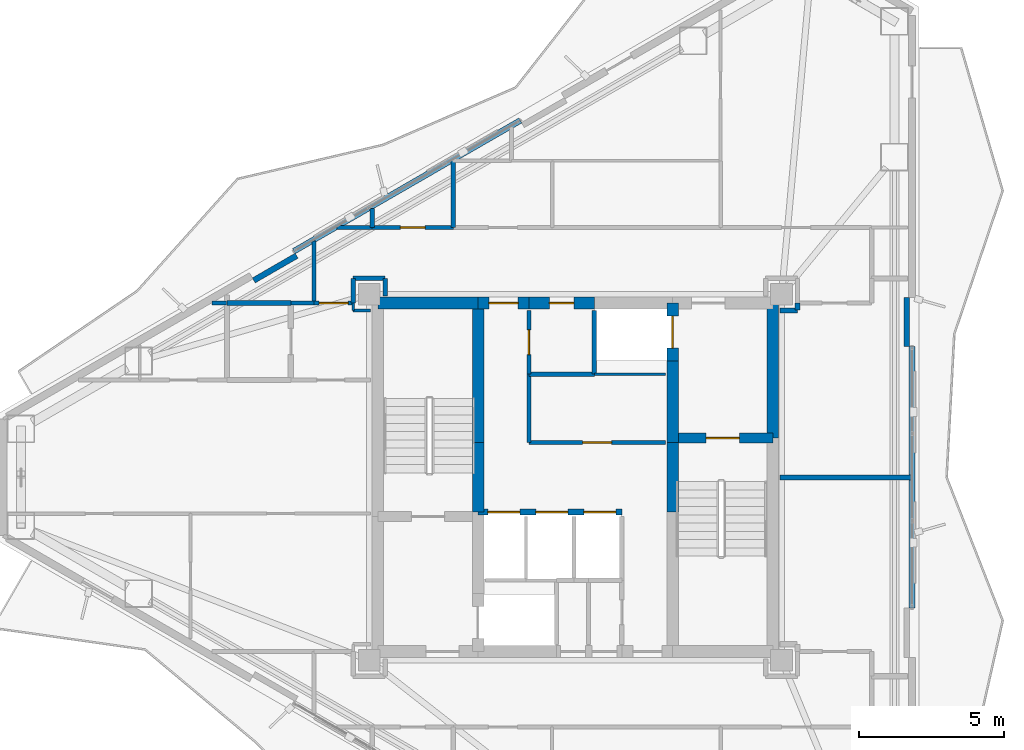
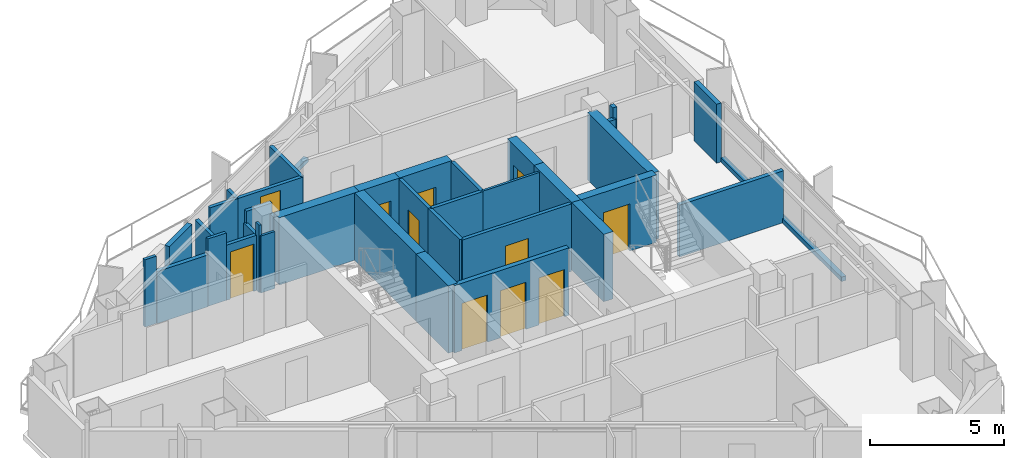
# One storey, part 18 of 22: 38 walls, 11 doors, 11 openings.
"""IFC4 building model written with IfcOpenShell, lengths in metres."""

from ifc_helpers import new_model, si_unit, direction, frame, frame_2d, origin, place, context, subcontext, project, spatial, rectangle, extrude, material, layer, layer_set, type_object, element, fill, save


model = new_model("IFC4")

# Units and contexts
model_context = context("Model", 3, precision=1e-05, world=origin(), true_north=direction((0.0, 1.0)))
body_context = subcontext(model_context, "Body", "Model", "MODEL_VIEW")
ifc_project = project(units=[si_unit("LENGTHUNIT", "METRE"), si_unit("AREAUNIT", "SQUARE_METRE"), si_unit("VOLUMEUNIT", "CUBIC_METRE"), si_unit("PLANEANGLEUNIT", "RADIAN"), si_unit("MASSUNIT", "GRAM", prefix="KILO")], contexts=[model_context])

# Site, building, storey
site_placement = place(None, origin())
site = spatial("IfcSite", under=ifc_project, at=site_placement, CompositionType="ELEMENT")
building_placement = place(site_placement, origin())
building = spatial("IfcBuilding", under=site, at=building_placement, Name="Mersakhor Tower and Convention Hall", CompositionType="ELEMENT")
storey_placement = place(building_placement, frame((0.0, 0.0, 192.0)))
storey = spatial("IfcBuildingStorey", under=building, at=storey_placement, Name="L53", CompositionType="ELEMENT", Elevation=192.0)

# Walls
ifc_material_1 = material(Name="Precast concrete C40/50", Category="concrete")
ifc_layer_1 = layer(ifc_material_1, 0.199951171875)
ifc_layer_set_1 = layer_set([ifc_layer_1], Name="Precast concrete C40/50")
wall_type_1 = type_object("IfcWallType", Name="WL-PAR-200", PredefinedType="PARAPET", material=ifc_layer_set_1)
wall_1_placement = place(storey_placement, frame((19.30908203125, 34.5361328125, 0.0), z_axis=(0.0, 0.0, 1.0), x_axis=(0.866020680503, 0.500008180874, 0.0)))
element("IfcWall", 1, at=wall_1_placement, inside=storey, type_object=wall_type_1, Name="L53 Curtain Wall Upstand Sill F1-B2", PredefinedType="PARAPET", context=body_context, shape_type="SweptSolid", body=[
    extrude(rectangle(XDim=8.998779296875, YDim=0.199951171875, at=frame_2d((4.49951171875, 0.0))), origin(), (0.0, 0.0, 1.0), 0.199951171875),
])
wall_2_placement = place(storey_placement, frame((17.927001953125, 33.5302734375, 0.0), z_axis=(0.0, 0.0, 1.0), x_axis=(0.86605165483, 0.499954529098, 0.0)))
element("IfcWall", 2, at=wall_2_placement, inside=storey, type_object=wall_type_1, Name="L53 Column Pier Cladding Wall F1-C1", PredefinedType="PARAPET", context=body_context, shape_type="SweptSolid", body=[
    extrude(rectangle(XDim=1.699951171875, YDim=0.199951171875, at=frame_2d((0.85009765625, 0.0))), origin(), (0.0, 0.0, 1.0), 2.68994140625),
])
wall_3_placement = place(storey_placement, frame((40.58837890625, 31.24951171875, 0.0), z_axis=(0.0, 0.0, 1.0), x_axis=(0.0, -1.0, 0.0)))
element("IfcWall", 3, at=wall_3_placement, inside=storey, type_object=wall_type_1, Name="L53 Curtain Wall Upstand Sill F2-B2", PredefinedType="PARAPET", context=body_context, shape_type="SweptSolid", body=[
    extrude(rectangle(XDim=8.9990234375, YDim=0.199951171875, at=frame_2d((4.49951171875, 0.0))), origin(), (0.0, 0.0, 1.0), 0.199951171875),
])
wall_4_placement = place(storey_placement, frame((40.408447265625, 32.949462890625, 0.0), z_axis=(0.0, 0.0, 1.0), x_axis=(0.0, -1.0, 0.0)))
element("IfcWall", 4, at=wall_4_placement, inside=storey, type_object=wall_type_1, Name="L53 Column Pier Cladding Wall F2-C1", PredefinedType="PARAPET", context=body_context, shape_type="SweptSolid", body=[
    extrude(rectangle(XDim=1.699951171875, YDim=0.199951171875, at=frame_2d((0.85009765625, 0.0))), origin(), (0.0, 0.0, 1.0), 2.68994140625),
])
ifc_material_2 = material(Name="Moisture-resistant acoustic drywall studwork", Category="other")
ifc_layer_2 = layer(ifc_material_2, 0.175048828125)
ifc_layer_set_2 = layer_set([ifc_layer_2], Name="Moisture-resistant acoustic drywall studwork")
wall_type_2 = type_object("IfcWallType", Name="WL-PLM-175", PredefinedType="PLUMBINGWALL", material=ifc_layer_set_2)
wall_5_placement = place(storey_placement, frame((36.050048828125, 32.5, 0.0), z_axis=(0.0, 0.0, 1.0), x_axis=(1.0, 0.0, 0.0)))
element("IfcWall", 5, at=wall_5_placement, inside=storey, type_object=wall_type_2, Name="L53 Interior Partition Wall P-053", PredefinedType="PLUMBINGWALL", context=body_context, shape_type="SweptSolid", body=[
    extrude(rectangle(XDim=0.599853515625, YDim=0.175048828125, at=frame_2d((0.2998046875, 0.0))), origin(), (0.0, 0.0, 1.0), 2.594970703125),
])
wall_6_placement = place(storey_placement, frame((36.64990234375, 32.514892578125, 0.0), z_axis=(0.0, 0.0, 1.0), x_axis=(0.0, 1.0, 0.0)))
element("IfcWall", 6, at=wall_6_placement, inside=storey, type_object=wall_type_2, Name="L53 Interior Partition Wall P-054", PredefinedType="PLUMBINGWALL", context=body_context, shape_type="SweptSolid", body=[
    extrude(rectangle(XDim=0.235107421875, YDim=0.175048828125, at=frame_2d((0.11767578125, 0.0))), origin(), (0.0, 0.0, 1.0), 3.070068359375),
])
wall_7_placement = place(storey_placement, frame((40.55029296875, 26.75, 0.0), z_axis=(0.0, 0.0, 1.0), x_axis=(-1.0, 0.0, 0.0)))
element("IfcWall", 7, at=wall_7_placement, inside=storey, type_object=wall_type_2, Name="L53 Interior Partition Wall P-056", PredefinedType="PLUMBINGWALL", context=body_context, shape_type="SweptSolid", body=[
    extrude(rectangle(XDim=4.500244140625, YDim=0.175048828125, at=frame_2d((2.25, 0.0))), origin(), (0.0, 0.0, 1.0), 2.364990234375),
])
wall_8_placement = place(storey_placement, frame((17.0, 32.75, 0.0), z_axis=(0.0, 0.0, 1.0), x_axis=(1.0, 0.0, 0.0)))
element("IfcWall", 8, at=wall_8_placement, inside=storey, type_object=wall_type_2, Name="L53 Interior Partition Wall P-060", PredefinedType="PLUMBINGWALL", context=body_context, shape_type="SweptSolid", body=[
    extrude(rectangle(XDim=2.199951171875, YDim=0.175048828125, at=frame_2d((1.10009765625, 0.0))), origin(), (0.0, 0.0, 1.0), 2.364990234375),
])
ifc_material_3 = material(Name="Lightweight gypsum partition", Category="other")
ifc_layer_3 = layer(ifc_material_3, 0.10009765625)
ifc_layer_set_3 = layer_set([ifc_layer_3], Name="Lightweight gypsum partition")
wall_type_3 = type_object("IfcWallType", Name="WL-PRT-100", PredefinedType="PARTITIONING", material=ifc_layer_set_3)
wall_9_placement = place(storey_placement, frame((32.10009765625, 30.300048828125, 0.0), z_axis=(0.0, 0.0, 1.0), x_axis=(-1.0, 0.0, 0.0)))
element("IfcWall", 9, at=wall_9_placement, inside=storey, type_object=wall_type_3, Name="L53 Interior Partition Wall P-004", PredefinedType="PARTITIONING", context=body_context, shape_type="SweptSolid", body=[
    extrude(rectangle(XDim=2.4501953125, YDim=0.10009765625, at=frame_2d((1.22509765625, 0.0))), origin(), (0.0, 0.0, 1.0), 3.070068359375),
])
wall_10_placement = place(storey_placement, frame((21.35009765625, 32.5, 0.0), z_axis=(0.0, 0.0, 1.0), x_axis=(1.0, 0.0, 0.0)))
element("IfcWall", 10, at=wall_10_placement, inside=storey, type_object=wall_type_3, Name="L53 Interior Partition Wall P-048", PredefinedType="PARTITIONING", context=body_context, shape_type="SweptSolid", body=[
    extrude(rectangle(XDim=0.599853515625, YDim=0.10009765625, at=frame_2d((0.2998046875, 0.0))), origin(), (0.0, 0.0, 1.0), 2.594970703125),
])
wall_11_placement = place(storey_placement, frame((21.35009765625, 32.75, 0.0), z_axis=(0.0, 0.0, 1.0), x_axis=(0.0, -1.0, 0.0)))
element("IfcWall", 11, at=wall_11_placement, inside=storey, type_object=wall_type_3, Name="L53 Interior Partition Wall P-052", PredefinedType="PARTITIONING", context=body_context, shape_type="SweptSolid", body=[
    extrude(rectangle(XDim=0.25, YDim=0.10009765625, at=frame_2d((0.125, 0.0))), origin(), (0.0, 0.0, 1.0), 3.070068359375),
])
ifc_material_4 = material(Name="Gypsum board acoustic partition", Category="other")
ifc_layer_4 = layer(ifc_material_4, 0.125)
ifc_layer_set_4 = layer_set([ifc_layer_4], Name="Gypsum board acoustic partition")
wall_type_4 = type_object("IfcWallType", Name="WL-PRT-125", PredefinedType="PARTITIONING", material=ifc_layer_set_4)
wall_12_placement = place(storey_placement, frame((19.199951171875, 32.75, 0.0), z_axis=(0.0, 0.0, 1.0), x_axis=(1.0, 0.0, 0.0)))
element("IfcWall", 12, at=wall_12_placement, inside=storey, type_object=wall_type_4, Name="L53 Interior Partition Wall P-051", PredefinedType="PARTITIONING", context=body_context, shape_type="SweptSolid", body=[
    extrude(rectangle(XDim=0.800048828125, YDim=0.125, at=frame_2d((0.39990234375, 0.0))), origin(), (0.0, 0.0, 1.0), 3.070068359375),
])
wall_13_placement = place(storey_placement, frame((16.486328125, 32.75, 0.0), z_axis=(0.0, 0.0, 1.0), x_axis=(1.0, 0.0, 0.0)))
element("IfcWall", 13, at=wall_13_placement, inside=storey, type_object=wall_type_4, Name="L53 Interior Partition Wall P-065", PredefinedType="PARTITIONING", context=body_context, shape_type="SweptSolid", body=[
    extrude(rectangle(XDim=0.498779296875, YDim=0.125, at=frame_2d((0.24951171875, 0.0))), origin(), (0.0, 0.0, 1.0), 3.070068359375),
])
ifc_material_5 = material(Name="Fire-rated gypsum board stud partition", Category="other")
ifc_layer_5 = layer(ifc_material_5, 0.14990234375)
ifc_layer_set_5 = layer_set([ifc_layer_5], Name="Fire-rated gypsum board stud partition")
wall_type_5 = type_object("IfcWallType", Name="WL-PRT-150", PredefinedType="PARTITIONING", material=ifc_layer_set_5)
wall_14_placement = place(storey_placement, frame((29.64990234375, 30.300048828125, 0.0), z_axis=(0.0, 0.0, 1.0), x_axis=(0.0, 1.0, 0.0)))
element("IfcWall", 14, at=wall_14_placement, inside=storey, type_object=wall_type_5, Name="L53 Interior Partition Wall P-005", PredefinedType="PARTITIONING", context=body_context, shape_type="SweptSolid", body=[
    extrude(rectangle(XDim=2.199951171875, YDim=0.14990234375, at=frame_2d((1.10009765625, 0.0))), origin(), (0.0, 0.0, 1.0), 3.070068359375),
])

# Wall, opening, door
wall_15_placement = place(storey_placement, frame((27.39990234375, 32.5, 0.0), z_axis=(0.0, 0.0, 1.0), x_axis=(0.0, -1.0, 0.0)))
wall_15 = element("IfcWall", 15, at=wall_15_placement, inside=storey, type_object=wall_type_5, Name="L53 Interior Partition Wall P-013", PredefinedType="PARTITIONING", context=body_context, shape_type="SweptSolid", body=[
    extrude(rectangle(XDim=2.199951171875, YDim=0.14990234375, at=frame_2d((1.10009765625, 0.0))), origin(), (0.0, 0.0, 1.0), 3.070068359375),
])
opening_1_placement = place(wall_15_placement, frame((0.675048828125, 0.0, 0.0)))
opening_1 = element("IfcOpeningElement", 16, at=opening_1_placement, cuts=wall_15, Name="Opening SVD-01", PredefinedType="OPENING", context=body_context, shape_type="SweptSolid", body=[
    extrude(rectangle(XDim=0.85009765625, YDim=2.10009765625, at=frame_2d((0.425048828125, 1.050048828125))), frame((0.0, 0.0849609375, 0.0), z_axis=(0.0, -1.0, 0.0), x_axis=(1.0, 0.0, 0.0)), (0.0, 0.0, 1.0), 0.169921875),
])
ifc_material_6 = material(Name="Fire-rated hardwood leaf and painted steel frame", Category="steel")
door_type_1 = type_object("IfcDoorType", Name="DR-INT-SVC-085x210", OperationType="NOTDEFINED", PredefinedType="DOOR", material=ifc_material_6)
door_1_placement = place(opening_1_placement, origin())
door_1 = element("IfcDoor", 17, at=door_1_placement, inside=storey, type_object=door_type_1, Name="L53 Central Passenger Lift Lobby to High-Zone Telecoms Room Door", OperationType="SINGLE_SWING_LEFT", OverallHeight=2.10009765625, OverallWidth=0.85009765625, PredefinedType="DOOR", context=body_context, shape_type="SweptSolid", body=[
    extrude(rectangle(XDim=0.85009765625, YDim=2.10009765625, at=frame_2d((0.425048828125, 1.050048828125))), frame((0.0, 0.02490234375, 0.0), z_axis=(0.0, -1.0, 0.0), x_axis=(1.0, 0.0, 0.0)), (0.0, 0.0, 1.0), 0.050048828125),
])
fill(opening_1, door_1)

# Wall
wall_16_placement = place(storey_placement, frame((27.39990234375, 30.300048828125, 0.0), z_axis=(0.0, 0.0, 1.0), x_axis=(0.0, -1.0, 0.0)))
element("IfcWall", 18, at=wall_16_placement, inside=storey, type_object=wall_type_5, Name="L53 Interior Partition Wall P-014", PredefinedType="PARTITIONING", context=body_context, shape_type="SweptSolid", body=[
    extrude(rectangle(XDim=2.35009765625, YDim=0.14990234375, at=frame_2d((1.175048828125, 0.0))), origin(), (0.0, 0.0, 1.0), 3.070068359375),
])

# Wall, opening, door
wall_17_placement = place(storey_placement, frame((27.39990234375, 27.949951171875, 0.0), z_axis=(0.0, 0.0, 1.0), x_axis=(1.0, 0.0, 0.0)))
wall_17 = element("IfcWall", 19, at=wall_17_placement, inside=storey, type_object=wall_type_5, Name="L53 Interior Partition Wall P-015", PredefinedType="PARTITIONING", context=body_context, shape_type="SweptSolid", body=[
    extrude(rectangle(XDim=4.7001953125, YDim=0.14990234375, at=frame_2d((2.35009765625, 0.0))), origin(), (0.0, 0.0, 1.0), 3.070068359375),
])
opening_2_placement = place(wall_17_placement, frame((1.85009765625, 0.0, 0.0)))
opening_2 = element("IfcOpeningElement", 20, at=opening_2_placement, cuts=wall_17, Name="Opening FD-01", PredefinedType="OPENING", context=body_context, shape_type="SweptSolid", body=[
    extrude(rectangle(XDim=1.0, YDim=2.14990234375, at=frame_2d((0.5, 1.074951171875))), frame((0.0, 0.0849609375, 0.0), z_axis=(0.0, -1.0, 0.0), x_axis=(1.0, 0.0, 0.0)), (0.0, 0.0, 1.0), 0.169921875),
])
ifc_material_7 = material(Name="Fire-rated hardwood leaf and painted steel frame", Category="steel")
door_type_2 = type_object("IfcDoorType", Name="DR-INT-FLT-100x215", OperationType="NOTDEFINED", PredefinedType="DOOR", material=ifc_material_7)
door_2_placement = place(opening_2_placement, origin())
door_2 = element("IfcDoor", 21, at=door_2_placement, inside=storey, type_object=door_type_2, Name="L53 Central Passenger Lift Lobby to Shared Floor Tea Pantry Door", OperationType="SINGLE_SWING_RIGHT", OverallHeight=2.14990234375, OverallWidth=1.0, PredefinedType="DOOR", context=body_context, shape_type="SweptSolid", body=[
    extrude(rectangle(XDim=1.0, YDim=2.14990234375, at=frame_2d((0.5, 1.074951171875))), frame((0.0, 0.02490234375, 0.0), z_axis=(0.0, -1.0, 0.0), x_axis=(1.0, 0.0, 0.0)), (0.0, 0.0, 1.0), 0.050048828125),
])
fill(opening_2, door_2)

# Walls
wall_18_placement = place(storey_placement, frame((22.449951171875, 33.0, 0.0), z_axis=(0.0, 0.0, 1.0), x_axis=(0.0, 1.0, 0.0)))
element("IfcWall", 22, at=wall_18_placement, inside=storey, type_object=wall_type_5, Name="L53 Interior Partition Wall P-022", PredefinedType="PARTITIONING", context=body_context, shape_type="SweptSolid", body=[
    extrude(rectangle(XDim=0.60009765625, YDim=0.14990234375, at=frame_2d((0.300048828125, 0.0))), origin(), (0.0, 0.0, 1.0), 2.594970703125),
])
wall_19_placement = place(storey_placement, frame((22.449951171875, 33.60009765625, 0.0), z_axis=(0.0, 0.0, 1.0), x_axis=(-1.0, 0.0, 0.0)))
element("IfcWall", 23, at=wall_19_placement, inside=storey, type_object=wall_type_5, Name="L53 Interior Partition Wall P-023", PredefinedType="PARTITIONING", context=body_context, shape_type="SweptSolid", body=[
    extrude(rectangle(XDim=1.099853515625, YDim=0.14990234375, at=frame_2d((0.5498046875, 0.0))), origin(), (0.0, 0.0, 1.0), 3.070068359375),
])
wall_20_placement = place(storey_placement, frame((21.35009765625, 33.60009765625, 0.0), z_axis=(0.0, 0.0, 1.0), x_axis=(0.0, -1.0, 0.0)))
element("IfcWall", 24, at=wall_20_placement, inside=storey, type_object=wall_type_5, Name="L53 Interior Partition Wall P-024", PredefinedType="PARTITIONING", context=body_context, shape_type="SweptSolid", body=[
    extrude(rectangle(XDim=0.85009765625, YDim=0.14990234375, at=frame_2d((0.425048828125, 0.0))), origin(), (0.0, 0.0, 1.0), 2.518310546875),
])

# Wall, opening, door
wall_21_placement = place(storey_placement, frame((21.35009765625, 32.75, 0.0), z_axis=(0.0, 0.0, 1.0), x_axis=(-1.0, 0.0, 0.0)))
wall_21 = element("IfcWall", 25, at=wall_21_placement, inside=storey, type_object=wall_type_5, Name="L53 Interior Partition Wall P-025", PredefinedType="PARTITIONING", context=body_context, shape_type="SweptSolid", body=[
    extrude(rectangle(XDim=1.35009765625, YDim=0.14990234375, at=frame_2d((0.675048828125, 0.0))), origin(), (0.0, 0.0, 1.0), 2.518310546875),
])
opening_3_placement = place(wall_21_placement, frame((0.175048828125, 0.0, 0.0)))
opening_3 = element("IfcOpeningElement", 26, at=opening_3_placement, cuts=wall_21, Name="Opening FD-01", PredefinedType="OPENING", context=body_context, shape_type="SweptSolid", body=[
    extrude(rectangle(XDim=1.0, YDim=2.14990234375, at=frame_2d((0.5, 1.074951171875))), frame((0.0, 0.0849609375, 0.0), z_axis=(0.0, -1.0, 0.0), x_axis=(1.0, 0.0, 0.0)), (0.0, 0.0, 1.0), 0.169921875),
])
door_3_placement = place(opening_3_placement, origin())
door_3 = element("IfcDoor", 27, at=door_3_placement, inside=storey, type_object=door_type_2, Name="L53 Apartment Entrance Door (Residential North Gallery Corridor to L53 Flat W3 Apartment Hall)", OperationType="SINGLE_SWING_LEFT", OverallHeight=2.14990234375, OverallWidth=1.0, PredefinedType="DOOR", context=body_context, shape_type="SweptSolid", body=[
    extrude(rectangle(XDim=1.0, YDim=2.14990234375, at=frame_2d((0.5, 1.074951171875))), frame((0.0, 0.02490234375, 0.0), z_axis=(0.0, -1.0, 0.0), x_axis=(1.0, 0.0, 0.0)), (0.0, 0.0, 1.0), 0.050048828125),
])
fill(opening_3, door_3)

# Walls
wall_22_placement = place(storey_placement, frame((20.0, 32.75, 0.0), z_axis=(0.0, 0.0, 1.0), x_axis=(0.0, 1.0, 0.0)))
element("IfcWall", 28, at=wall_22_placement, inside=storey, type_object=wall_type_5, Name="L53 Interior Partition Wall P-026", PredefinedType="PARTITIONING", context=body_context, shape_type="SweptSolid", body=[
    extrude(rectangle(XDim=2.14111328125, YDim=0.14990234375, at=frame_2d((1.070556640625, 0.0))), origin(), (0.0, 0.0, 1.0), 2.364990234375),
])
wall_23_placement = place(storey_placement, frame((20.7880859375, 35.35009765625, 0.0), z_axis=(0.0, 0.0, 1.0), x_axis=(1.0, 0.0, 0.0)))
element("IfcWall", 29, at=wall_23_placement, inside=storey, type_object=wall_type_5, Name="L53 Interior Partition Wall P-027", PredefinedType="PARTITIONING", context=body_context, shape_type="SweptSolid", body=[
    extrude(rectangle(XDim=1.2119140625, YDim=0.14990234375, at=frame_2d((0.60595703125, 0.0))), origin(), (0.0, 0.0, 1.0), 2.364990234375),
])

# Wall, opening, door
wall_24_placement = place(storey_placement, frame((22.0, 35.35009765625, 0.0), z_axis=(0.0, 0.0, 1.0), x_axis=(1.0, 0.0, 0.0)))
wall_24 = element("IfcWall", 30, at=wall_24_placement, inside=storey, type_object=wall_type_5, Name="L53 Interior Partition Wall P-028", PredefinedType="PARTITIONING", context=body_context, shape_type="SweptSolid", body=[
    extrude(rectangle(XDim=2.800048828125, YDim=0.14990234375, at=frame_2d((1.39990234375, 0.0))), origin(), (0.0, 0.0, 1.0), 2.364990234375),
])
opening_4_placement = place(wall_24_placement, frame((0.97509765625, 0.0, 0.0)))
opening_4 = element("IfcOpeningElement", 31, at=opening_4_placement, cuts=wall_24, Name="Opening SVD-01", PredefinedType="OPENING", context=body_context, shape_type="SweptSolid", body=[
    extrude(rectangle(XDim=0.85009765625, YDim=2.10009765625, at=frame_2d((0.425048828125, 1.050048828125))), frame((0.0, 0.0849609375, 0.0), z_axis=(0.0, -1.0, 0.0), x_axis=(1.0, 0.0, 0.0)), (0.0, 0.0, 1.0), 0.169921875),
])
door_4_placement = place(opening_4_placement, origin())
door_4 = element("IfcDoor", 32, at=door_4_placement, inside=storey, type_object=door_type_1, Name="L53 Residential North Gallery Corridor to L53 Floor Household Store Room 1-1 Door", OperationType="SINGLE_SWING_LEFT", OverallHeight=2.10009765625, OverallWidth=0.85009765625, PredefinedType="DOOR", context=body_context, shape_type="SweptSolid", body=[
    extrude(rectangle(XDim=0.85009765625, YDim=2.10009765625, at=frame_2d((0.425048828125, 1.050048828125))), frame((0.0, 0.02490234375, 0.0), z_axis=(0.0, -1.0, 0.0), x_axis=(1.0, 0.0, 0.0)), (0.0, 0.0, 1.0), 0.050048828125),
])
fill(opening_4, door_4)

# Walls
wall_25_placement = place(storey_placement, frame((27.39990234375, 30.300048828125, 0.0), z_axis=(0.0, 0.0, 1.0), x_axis=(1.0, 0.0, 0.0)))
element("IfcWall", 33, at=wall_25_placement, inside=storey, type_object=wall_type_5, Name="L53 Interior Partition Wall P-066", PredefinedType="PARTITIONING", context=body_context, shape_type="SweptSolid", body=[
    extrude(rectangle(XDim=2.25, YDim=0.14990234375, at=frame_2d((1.125, 0.0))), origin(), (0.0, 0.0, 1.0), 3.070068359375),
])
wall_26_placement = place(storey_placement, frame((24.800048828125, 37.662353515625, 0.0), z_axis=(0.0, 0.0, 1.0), x_axis=(0.0, -1.0, 0.0)))
element("IfcWall", 34, at=wall_26_placement, inside=storey, type_object=wall_type_5, Name="L53 Interior Partition Wall P-075", PredefinedType="PARTITIONING", context=body_context, shape_type="SweptSolid", body=[
    extrude(rectangle(XDim=2.312255859375, YDim=0.14990234375, at=frame_2d((1.15625, 0.0))), origin(), (0.0, 0.0, 1.0), 2.364990234375),
])
wall_27_placement = place(storey_placement, frame((22.0, 35.35009765625, 0.0), z_axis=(0.0, 0.0, 1.0), x_axis=(0.0, 1.0, 0.0)))
element("IfcWall", 35, at=wall_27_placement, inside=storey, type_object=wall_type_5, Name="L53 Interior Partition Wall P-076", PredefinedType="PARTITIONING", context=body_context, shape_type="SweptSolid", body=[
    extrude(rectangle(XDim=0.650634765625, YDim=0.14990234375, at=frame_2d((0.3251953125, 0.0))), origin(), (0.0, 0.0, 1.0), 2.364990234375),
])

# Wall, openings, doors
ifc_material_8 = material(Name="Acoustic concrete blockwork and gypsum board", Category="masonry")
ifc_layer_6 = layer(ifc_material_8, 0.199951171875)
ifc_layer_set_6 = layer_set([ifc_layer_6], Name="Acoustic concrete blockwork and gypsum board")
wall_type_6 = type_object("IfcWallType", Name="WL-PRT-200", PredefinedType="PARTITIONING", material=ifc_layer_set_6)
wall_28_placement = place(storey_placement, frame((25.64990234375, 25.550048828125, 0.0), z_axis=(0.0, 0.0, 1.0), x_axis=(1.0, 0.0, 0.0)))
wall_28 = element("IfcWall", 36, at=wall_28_placement, inside=storey, type_object=wall_type_6, Name="L53 High-Rise Lift Bank Front Wall", PredefinedType="PARTITIONING", context=body_context, shape_type="SweptSolid", body=[
    extrude(rectangle(XDim=4.9501953125, YDim=0.199951171875, at=frame_2d((2.47509765625, 0.0))), origin(), (0.0, 0.0, 1.0), 3.070068359375),
])
opening_5_placement = place(wall_28_placement, frame((0.340087890625, 0.0, 0.0)))
opening_5 = element("IfcOpeningElement", 37, at=opening_5_placement, cuts=wall_28, Name="Opening LD-P4", PredefinedType="OPENING", context=body_context, shape_type="SweptSolid", body=[
    extrude(rectangle(XDim=1.10009765625, YDim=2.14990234375, at=frame_2d((0.550048828125, 1.074951171875))), frame((0.0, 0.10986328125, 0.0), z_axis=(0.0, -1.0, 0.0), x_axis=(1.0, 0.0, 0.0)), (0.0, 0.0, 1.0), 0.219970703125),
])
opening_6_placement = place(wall_28_placement, frame((1.989990234375, 0.0, 0.0)))
opening_6 = element("IfcOpeningElement", 38, at=opening_6_placement, cuts=wall_28, Name="Opening LD-P5", PredefinedType="OPENING", context=body_context, shape_type="SweptSolid", body=[
    extrude(rectangle(XDim=1.10009765625, YDim=2.14990234375, at=frame_2d((0.550048828125, 1.074951171875))), frame((0.0, 0.10986328125, 0.0), z_axis=(0.0, -1.0, 0.0), x_axis=(1.0, 0.0, 0.0)), (0.0, 0.0, 1.0), 0.219970703125),
])
opening_7_placement = place(wall_28_placement, frame((3.639892578125, 0.0, 0.0)))
opening_7 = element("IfcOpeningElement", 39, at=opening_7_placement, cuts=wall_28, Name="Opening LD-P6", PredefinedType="OPENING", context=body_context, shape_type="SweptSolid", body=[
    extrude(rectangle(XDim=1.10009765625, YDim=2.14990234375, at=frame_2d((0.550048828125, 1.074951171875))), frame((0.0, 0.10986328125, 0.0), z_axis=(0.0, -1.0, 0.0), x_axis=(1.0, 0.0, 0.0)), (0.0, 0.0, 1.0), 0.219970703125),
])
ifc_material_9 = material(Name="Fire-rated brushed stainless steel sliding landing door", Category="steel")
door_type_3 = type_object("IfcDoorType", Name="DR-LIFT-SLD-110x215", OperationType="NOTDEFINED", PredefinedType="DOOR", material=ifc_material_9)
door_5_placement = place(opening_5_placement, origin())
door_5 = element("IfcDoor", 40, at=door_5_placement, inside=storey, type_object=door_type_3, Name="L53 Lift Landing Door LD-P4", OperationType="SLIDING_TO_LEFT", OverallHeight=2.14990234375, OverallWidth=1.10009765625, PredefinedType="DOOR", context=body_context, shape_type="SweptSolid", body=[
    extrude(rectangle(XDim=1.10009765625, YDim=2.14990234375, at=frame_2d((0.550048828125, 1.074951171875))), frame((0.0, 0.02490234375, 0.0), z_axis=(0.0, -1.0, 0.0), x_axis=(1.0, 0.0, 0.0)), (0.0, 0.0, 1.0), 0.050048828125),
])
fill(opening_5, door_5)
door_6_placement = place(opening_6_placement, origin())
door_6 = element("IfcDoor", 41, at=door_6_placement, inside=storey, type_object=door_type_3, Name="L53 Lift Landing Door LD-P5", OperationType="SLIDING_TO_LEFT", OverallHeight=2.14990234375, OverallWidth=1.10009765625, PredefinedType="DOOR", context=body_context, shape_type="SweptSolid", body=[
    extrude(rectangle(XDim=1.10009765625, YDim=2.14990234375, at=frame_2d((0.550048828125, 1.074951171875))), frame((0.0, 0.02490234375, 0.0), z_axis=(0.0, -1.0, 0.0), x_axis=(1.0, 0.0, 0.0)), (0.0, 0.0, 1.0), 0.050048828125),
])
fill(opening_6, door_6)
door_7_placement = place(opening_7_placement, origin())
door_7 = element("IfcDoor", 42, at=door_7_placement, inside=storey, type_object=door_type_3, Name="L53 Lift Landing Door LD-P6", OperationType="SLIDING_TO_LEFT", OverallHeight=2.14990234375, OverallWidth=1.10009765625, PredefinedType="DOOR", context=body_context, shape_type="SweptSolid", body=[
    extrude(rectangle(XDim=1.10009765625, YDim=2.14990234375, at=frame_2d((0.550048828125, 1.074951171875))), frame((0.0, 0.02490234375, 0.0), z_axis=(0.0, -1.0, 0.0), x_axis=(1.0, 0.0, 0.0)), (0.0, 0.0, 1.0), 0.050048828125),
])
fill(opening_7, door_7)

# Wall, opening, door
ifc_material_10 = material(Name="Concrete C50/60", Category="concrete")
ifc_layer_7 = layer(ifc_material_10, 0.35009765625)
ifc_layer_set_7 = layer_set([ifc_layer_7], Name="Concrete C50/60")
wall_type_7 = type_object("IfcWallType", Name="WL-SHR-350", PredefinedType="SHEAR", material=ifc_layer_set_7)
wall_29_placement = place(storey_placement, frame((32.35009765625, 28.10009765625, 0.0), z_axis=(0.0, 0.0, 1.0), x_axis=(1.0, 0.0, 0.0)))
wall_29 = element("IfcWall", 43, at=wall_29_placement, inside=storey, type_object=wall_type_7, Name="L53 Core Wall CS-ST2-N", PredefinedType="SHEAR", context=body_context, shape_type="SweptSolid", body=[
    extrude(rectangle(XDim=3.449951171875, YDim=0.35009765625, at=frame_2d((1.72509765625, 0.0))), origin(), (0.0, 0.0, 1.0), 3.070068359375),
])
opening_8_placement = place(wall_29_placement, frame((1.14990234375, 0.0, 0.0)))
opening_8 = element("IfcOpeningElement", 44, at=opening_8_placement, cuts=wall_29, Name="Opening SD-01", PredefinedType="OPENING", context=body_context, shape_type="SweptSolid", body=[
    extrude(rectangle(XDim=1.14990234375, YDim=2.14990234375, at=frame_2d((0.574951171875, 1.074951171875))), frame((0.0, 0.18505859375, 0.0), z_axis=(0.0, -1.0, 0.0), x_axis=(1.0, 0.0, 0.0)), (0.0, 0.0, 1.0), 0.3701171875),
])
ifc_material_11 = material(Name="Fire-rated hardwood leaf and painted steel frame", Category="steel")
door_type_4 = type_object("IfcDoorType", Name="DR-INT-STAIR-115x215", OperationType="NOTDEFINED", PredefinedType="DOOR", material=ifc_material_11)
door_8_placement = place(opening_8_placement, origin())
door_8 = element("IfcDoor", 45, at=door_8_placement, inside=storey, type_object=door_type_4, Name="L53 Exit Stair ST-2 Enclosure Door", OperationType="SINGLE_SWING_RIGHT", OverallHeight=2.14990234375, OverallWidth=1.14990234375, PredefinedType="DOOR", context=body_context, shape_type="SweptSolid", body=[
    extrude(rectangle(XDim=1.14990234375, YDim=2.14990234375, at=frame_2d((0.574951171875, 1.074951171875))), frame((0.0, 0.02490234375, 0.0), z_axis=(0.0, -1.0, 0.0), x_axis=(1.0, 0.0, 0.0)), (0.0, 0.0, 1.0), 0.050048828125),
])
fill(opening_8, door_8)

# Wall
ifc_material_12 = material(Name="Concrete C60/75", Category="concrete")
ifc_layer_8 = layer(ifc_material_12, 0.39990234375)
ifc_layer_set_8 = layer_set([ifc_layer_8], Name="Concrete C60/75")
wall_type_8 = type_object("IfcWallType", Name="WL-SHR-400", PredefinedType="SHEAR", material=ifc_layer_set_8)
wall_30_placement = place(storey_placement, frame((22.199951171875, 32.75, 0.0), z_axis=(0.0, 0.0, 1.0), x_axis=(1.0, 0.0, 0.0)))
element("IfcWall", 46, at=wall_30_placement, inside=storey, type_object=wall_type_8, Name="L53 Core Wall CW-N1", PredefinedType="SHEAR", context=body_context, shape_type="SweptSolid", body=[
    extrude(rectangle(XDim=3.449951171875, YDim=0.39990234375, at=frame_2d((1.72509765625, 0.0))), origin(), (0.0, 0.0, 1.0), 3.070068359375),
])

# Wall, opening, door
wall_31_placement = place(storey_placement, frame((25.64990234375, 32.75, 0.0), z_axis=(0.0, 0.0, 1.0), x_axis=(1.0, 0.0, 0.0)))
wall_31 = element("IfcWall", 47, at=wall_31_placement, inside=storey, type_object=wall_type_8, Name="L53 Core Wall CW-N2A", PredefinedType="SHEAR", context=body_context, shape_type="SweptSolid", body=[
    extrude(rectangle(XDim=1.75, YDim=0.39990234375, at=frame_2d((0.875, 0.0))), origin(), (0.0, 0.0, 1.0), 3.070068359375),
])
opening_9_placement = place(wall_31_placement, frame((0.375, 0.0, 0.0)))
opening_9 = element("IfcOpeningElement", 48, at=opening_9_placement, cuts=wall_31, Name="Opening CFD-01", PredefinedType="OPENING", context=body_context, shape_type="SweptSolid", body=[
    extrude(rectangle(XDim=1.0, YDim=2.14990234375, at=frame_2d((0.5, 1.074951171875))), frame((0.0, 0.2099609375, 0.0), z_axis=(0.0, -1.0, 0.0), x_axis=(1.0, 0.0, 0.0)), (0.0, 0.0, 1.0), 0.419921875),
])
ifc_material_13 = material(Name="Fire-rated hardwood leaf and painted steel frame", Category="steel")
door_type_5 = type_object("IfcDoorType", Name="DR-CORE-FD-100x215", OperationType="NOTDEFINED", PredefinedType="DOOR", material=ifc_material_13)
door_9_placement = place(opening_9_placement, origin())
door_9 = element("IfcDoor", 49, at=door_9_placement, inside=storey, type_object=door_type_5, Name="L53 Lift Lobby North Corridor Door", OperationType="SINGLE_SWING_LEFT", OverallHeight=2.14990234375, OverallWidth=1.0, PredefinedType="DOOR", context=body_context, shape_type="SweptSolid", body=[
    extrude(rectangle(XDim=1.0, YDim=2.14990234375, at=frame_2d((0.5, 1.074951171875))), frame((0.0, 0.02490234375, 0.0), z_axis=(0.0, -1.0, 0.0), x_axis=(1.0, 0.0, 0.0)), (0.0, 0.0, 1.0), 0.050048828125),
])
fill(opening_9, door_9)

wall_32_placement = place(storey_placement, frame((27.39990234375, 32.75, 0.0), z_axis=(0.0, 0.0, 1.0), x_axis=(1.0, 0.0, 0.0)))
wall_32 = element("IfcWall", 50, at=wall_32_placement, inside=storey, type_object=wall_type_8, Name="L53 Core Wall CW-N2B", PredefinedType="SHEAR", context=body_context, shape_type="SweptSolid", body=[
    extrude(rectangle(XDim=2.25, YDim=0.39990234375, at=frame_2d((1.125, 0.0))), origin(), (0.0, 0.0, 1.0), 3.070068359375),
])
opening_10_placement = place(wall_32_placement, frame((0.699951171875, 0.0, 0.0)))
opening_10 = element("IfcOpeningElement", 51, at=opening_10_placement, cuts=wall_32, Name="Opening SVD-01", PredefinedType="OPENING", context=body_context, shape_type="SweptSolid", body=[
    extrude(rectangle(XDim=0.85009765625, YDim=2.10009765625, at=frame_2d((0.425048828125, 1.050048828125))), frame((0.0, 0.2099609375, 0.0), z_axis=(0.0, -1.0, 0.0), x_axis=(1.0, 0.0, 0.0)), (0.0, 0.0, 1.0), 0.419921875),
])
door_10_placement = place(opening_10_placement, origin())
door_10 = element("IfcDoor", 52, at=door_10_placement, inside=storey, type_object=door_type_1, Name="L53 Residential North Gallery Corridor to High-Zone Telecoms Room Door", OperationType="SINGLE_SWING_LEFT", OverallHeight=2.10009765625, OverallWidth=0.85009765625, PredefinedType="DOOR", context=body_context, shape_type="SweptSolid", body=[
    extrude(rectangle(XDim=0.85009765625, YDim=2.10009765625, at=frame_2d((0.425048828125, 1.050048828125))), frame((0.0, 0.02490234375, 0.0), z_axis=(0.0, -1.0, 0.0), x_axis=(1.0, 0.0, 0.0)), (0.0, 0.0, 1.0), 0.050048828125),
])
fill(opening_10, door_10)

# Walls
wall_33_placement = place(storey_placement, frame((35.800048828125, 32.75, 0.0), z_axis=(0.0, 0.0, 1.0), x_axis=(0.0, -1.0, 0.0)))
element("IfcWall", 53, at=wall_33_placement, inside=storey, type_object=wall_type_8, Name="L53 Core Wall CW-E1", PredefinedType="SHEAR", context=body_context, shape_type="SweptSolid", body=[
    extrude(rectangle(XDim=4.64990234375, YDim=0.39990234375, at=frame_2d((2.324951171875, 0.0))), origin(), (0.0, 0.0, 1.0), 3.070068359375),
])
wall_34_placement = place(storey_placement, frame((25.64990234375, 25.550048828125, 0.0), z_axis=(0.0, 0.0, 1.0), x_axis=(0.0, 1.0, 0.0)))
element("IfcWall", 54, at=wall_34_placement, inside=storey, type_object=wall_type_8, Name="L53 Core Wall CS-W-LOB", PredefinedType="SHEAR", context=body_context, shape_type="SweptSolid", body=[
    extrude(rectangle(XDim=2.39990234375, YDim=0.39990234375, at=frame_2d((1.199951171875, 0.0))), origin(), (0.0, 0.0, 1.0), 3.070068359375),
])
wall_35_placement = place(storey_placement, frame((25.64990234375, 27.949951171875, 0.0), z_axis=(0.0, 0.0, 1.0), x_axis=(0.0, 1.0, 0.0)))
element("IfcWall", 55, at=wall_35_placement, inside=storey, type_object=wall_type_8, Name="L53 Core Wall CS-W-ST1", PredefinedType="SHEAR", context=body_context, shape_type="SweptSolid", body=[
    extrude(rectangle(XDim=4.800048828125, YDim=0.39990234375, at=frame_2d((2.39990234375, 0.0))), origin(), (0.0, 0.0, 1.0), 3.070068359375),
])
wall_36_placement = place(storey_placement, frame((32.35009765625, 25.550048828125, 0.0), z_axis=(0.0, 0.0, 1.0), x_axis=(0.0, 1.0, 0.0)))
element("IfcWall", 56, at=wall_36_placement, inside=storey, type_object=wall_type_8, Name="L53 Core Wall CS-E-LOB", PredefinedType="SHEAR", context=body_context, shape_type="SweptSolid", body=[
    extrude(rectangle(XDim=2.39990234375, YDim=0.39990234375, at=frame_2d((1.199951171875, 0.0))), origin(), (0.0, 0.0, 1.0), 3.070068359375),
])
wall_37_placement = place(storey_placement, frame((32.35009765625, 27.949951171875, 0.0), z_axis=(0.0, 0.0, 1.0), x_axis=(0.0, 1.0, 0.0)))
element("IfcWall", 57, at=wall_37_placement, inside=storey, type_object=wall_type_8, Name="L53 Core Wall CS-E-MID", PredefinedType="SHEAR", context=body_context, shape_type="SweptSolid", body=[
    extrude(rectangle(XDim=2.800048828125, YDim=0.39990234375, at=frame_2d((1.39990234375, 0.0))), origin(), (0.0, 0.0, 1.0), 3.070068359375),
])

# Wall, opening, door
wall_38_placement = place(storey_placement, frame((32.35009765625, 30.75, 0.0), z_axis=(0.0, 0.0, 1.0), x_axis=(0.0, 1.0, 0.0)))
wall_38 = element("IfcWall", 58, at=wall_38_placement, inside=storey, type_object=wall_type_8, Name="L53 Core Wall CS-E-FFL", PredefinedType="SHEAR", context=body_context, shape_type="SweptSolid", body=[
    extrude(rectangle(XDim=2.0, YDim=0.39990234375, at=frame_2d((1.0, 0.0))), origin(), (0.0, 0.0, 1.0), 3.070068359375),
])
opening_11_placement = place(wall_38_placement, frame((0.449951171875, 0.0, 0.0)))
opening_11 = element("IfcOpeningElement", 59, at=opening_11_placement, cuts=wall_38, Name="Opening LD-FFL2", PredefinedType="OPENING", context=body_context, shape_type="SweptSolid", body=[
    extrude(rectangle(XDim=1.10009765625, YDim=2.14990234375, at=frame_2d((0.550048828125, 1.074951171875))), frame((0.0, 0.2099609375, 0.0), z_axis=(0.0, -1.0, 0.0), x_axis=(1.0, 0.0, 0.0)), (0.0, 0.0, 1.0), 0.419921875),
])
door_11_placement = place(opening_11_placement, origin())
door_11 = element("IfcDoor", 60, at=door_11_placement, inside=storey, type_object=door_type_3, Name="L53 Firefighting Lift Landing Door LD-FFL2", OperationType="SLIDING_TO_LEFT", OverallHeight=2.14990234375, OverallWidth=1.10009765625, PredefinedType="DOOR", context=body_context, shape_type="SweptSolid", body=[
    extrude(rectangle(XDim=1.10009765625, YDim=2.14990234375, at=frame_2d((0.550048828125, 1.074951171875))), frame((0.0, 0.02490234375, 0.0), z_axis=(0.0, -1.0, 0.0), x_axis=(1.0, 0.0, 0.0)), (0.0, 0.0, 1.0), 0.050048828125),
])
fill(opening_11, door_11)

save(model, "model.ifc")
